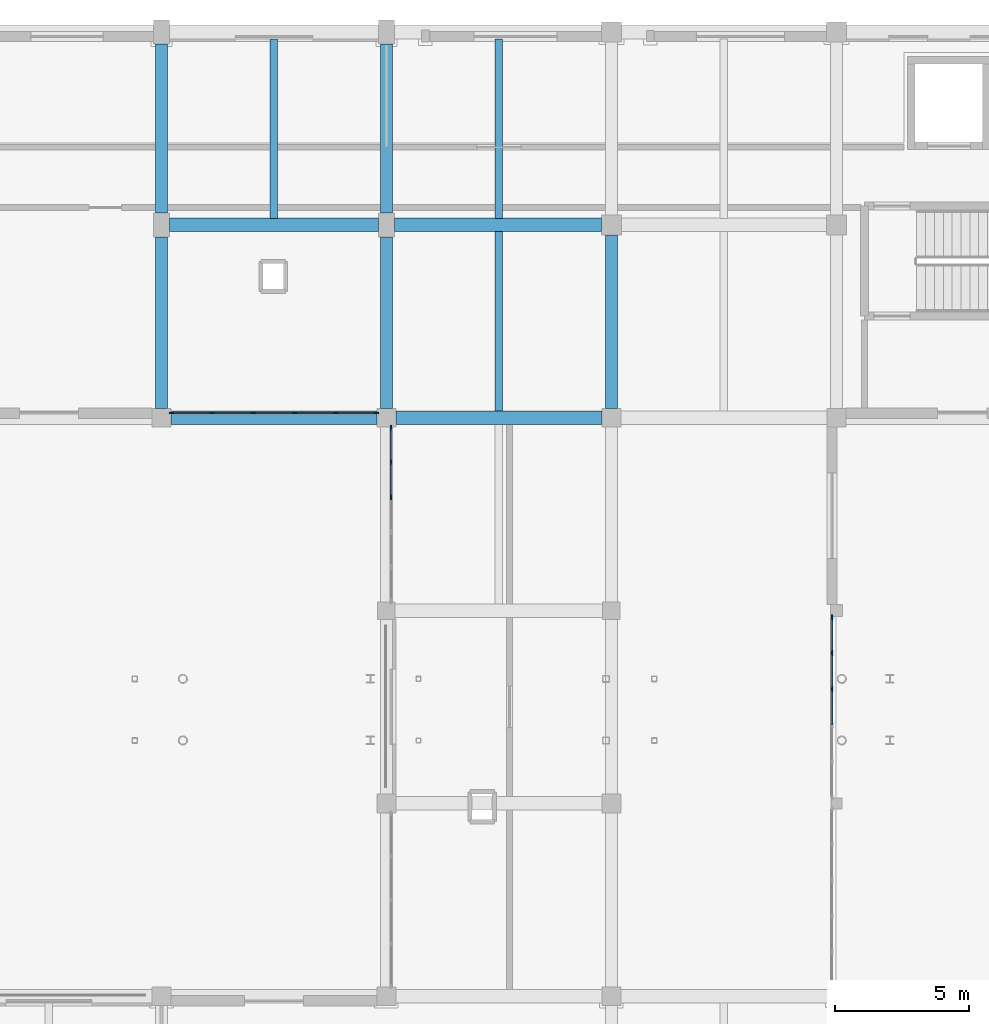
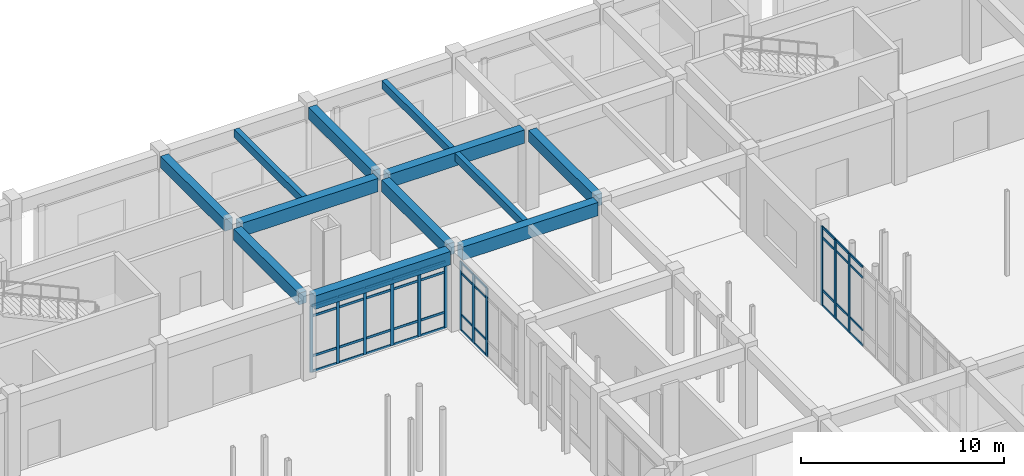
# One storey, part 56 of 121: 52 members, 12 beams, 3 elements without a shape of their own.
"""IFC4 building model written with IfcOpenShell, lengths in metres."""

from ifc_helpers import new_model, si_unit, direction, frame, origin, origin_2d, place, context, subcontext, project, spatial, rectangle, extrude, material, material_profile, profile_set, type_object, element, aggregate, save


model = new_model("IFC4")

# Units and contexts
model_context = context("Model", 3, precision=1e-05, world=origin(), true_north=direction((0.0, 1.0)))
body_context = subcontext(model_context, "Body", "Model", "MODEL_VIEW")
ifc_project = project(units=[si_unit("LENGTHUNIT", "METRE"), si_unit("AREAUNIT", "SQUARE_METRE"), si_unit("VOLUMEUNIT", "CUBIC_METRE"), si_unit("PLANEANGLEUNIT", "RADIAN"), si_unit("MASSUNIT", "GRAM", prefix="KILO")], contexts=[model_context])

# Site, building, storey
site_placement = place(None, origin())
site = spatial("IfcSite", under=ifc_project, at=site_placement, CompositionType="ELEMENT")
building_placement = place(site_placement, origin())
building = spatial("IfcBuilding", under=site, at=building_placement, Name="Malvenik Polytechnic", CompositionType="ELEMENT")
storey_placement = place(building_placement, origin())
storey = spatial("IfcBuildingStorey", under=building, at=storey_placement, Name="L00", CompositionType="ELEMENT", Elevation=0.0)

# Curtain wall, members
ifc_material_1 = material(Name="Anodised aluminium 6060-T6", Category="aluminium")
curtain_wall_type_1 = type_object("IfcCurtainWallType", Name="ARC-CW-CW-01", PredefinedType="NOTDEFINED", material=ifc_material_1)
curtain_wall_1_placement = place(storey_placement, origin())
curtain_wall_1 = element("IfcCurtainWall", 1, at=curtain_wall_1_placement, inside=storey, type_object=curtain_wall_type_1, Name="Unitised Curtain Wall CW-01 L00 #10", PredefinedType="NOTDEFINED")
ifc_material_2 = material(Name="Anodised aluminium", Category="aluminium")
ifc_material_profile_1 = material_profile(ifc_material_2, rectangle(XDim=0.06005859375, YDim=0.179931640625, at=origin_2d()), Name="ALU MULLION 60x180")
ifc_profile_set_1 = profile_set([ifc_material_profile_1], Name="Anodised aluminium")
member_type_1 = type_object("IfcMemberType", Name="ARC-CWM-180", PredefinedType="MULLION", material=ifc_profile_set_1)
member_1_placement = place(storey_placement, frame((75.221923828125, 115.3701171875, 0.0), z_axis=(0.0, 0.0, 1.0), x_axis=(0.0, -1.0, 0.0)))
member_1 = element("IfcMember", 2, at=member_1_placement, type_object=member_type_1, Name="CW-01 mullion 1", PredefinedType="MULLION", context=body_context, shape_type="SweptSolid", body=[
    extrude(rectangle(XDim=0.06005859375, YDim=0.179931640625, at=origin_2d()), origin(), (0.0, 0.0, 1.0), 4.010009765625),
])
member_2_placement = place(storey_placement, frame((73.711181640625, 115.3701171875, 0.0), z_axis=(0.0, 0.0, 1.0), x_axis=(0.0, -1.0, 0.0)))
member_2 = element("IfcMember", 3, at=member_2_placement, type_object=member_type_1, Name="CW-01 mullion 2", PredefinedType="MULLION", context=body_context, shape_type="SweptSolid", body=[
    extrude(rectangle(XDim=0.06005859375, YDim=0.179931640625, at=origin_2d()), origin(), (0.0, 0.0, 1.0), 4.010009765625),
])
member_3_placement = place(storey_placement, frame((72.17041015625, 115.3701171875, 0.0), z_axis=(0.0, 0.0, 1.0), x_axis=(0.0, -1.0, 0.0)))
member_3 = element("IfcMember", 4, at=member_3_placement, type_object=member_type_1, Name="CW-01 mullion 3", PredefinedType="MULLION", context=body_context, shape_type="SweptSolid", body=[
    extrude(rectangle(XDim=0.06005859375, YDim=0.179931640625, at=origin_2d()), origin(), (0.0, 0.0, 1.0), 4.010009765625),
])
member_4_placement = place(storey_placement, frame((70.629638671875, 115.3701171875, 0.0), z_axis=(0.0, 0.0, 1.0), x_axis=(0.0, -1.0, 0.0)))
member_4 = element("IfcMember", 5, at=member_4_placement, type_object=member_type_1, Name="CW-01 mullion 4", PredefinedType="MULLION", context=body_context, shape_type="SweptSolid", body=[
    extrude(rectangle(XDim=0.06005859375, YDim=0.179931640625, at=origin_2d()), origin(), (0.0, 0.0, 1.0), 4.010009765625),
])
member_5_placement = place(storey_placement, frame((69.0888671875, 115.3701171875, 0.0), z_axis=(0.0, 0.0, 1.0), x_axis=(0.0, -1.0, 0.0)))
member_5 = element("IfcMember", 6, at=member_5_placement, type_object=member_type_1, Name="CW-01 mullion 5", PredefinedType="MULLION", context=body_context, shape_type="SweptSolid", body=[
    extrude(rectangle(XDim=0.06005859375, YDim=0.179931640625, at=origin_2d()), origin(), (0.0, 0.0, 1.0), 4.010009765625),
])
member_6_placement = place(storey_placement, frame((67.577880859375, 115.3701171875, 0.0), z_axis=(0.0, 0.0, 1.0), x_axis=(0.0, -1.0, 0.0)))
member_6 = element("IfcMember", 7, at=member_6_placement, type_object=member_type_1, Name="CW-01 mullion 6", PredefinedType="MULLION", context=body_context, shape_type="SweptSolid", body=[
    extrude(rectangle(XDim=0.06005859375, YDim=0.179931640625, at=origin_2d()), origin(), (0.0, 0.0, 1.0), 4.010009765625),
])

curtain_wall_type_2 = type_object("IfcCurtainWallType", Name="ARC-CW-CW-04", PredefinedType="NOTDEFINED", material=ifc_material_1)
curtain_wall_2_placement = place(storey_placement, origin())
curtain_wall_2 = element("IfcCurtainWall", 8, at=curtain_wall_2_placement, inside=storey, type_object=curtain_wall_type_2, Name="Unitised Curtain Wall CW-04 L00 #9", PredefinedType="NOTDEFINED")
ifc_material_profile_2 = material_profile(ifc_material_2, rectangle(XDim=0.06005859375, YDim=0.199951171875, at=origin_2d()), Name="ALU MULLION 60x200")
ifc_profile_set_2 = profile_set([ifc_material_profile_2], Name="Anodised aluminium")
member_type_2 = type_object("IfcMemberType", Name="ARC-CWM-200", PredefinedType="MULLION", material=ifc_profile_set_2)
member_7_placement = place(storey_placement, frame((75.77001953125, 112.240478515625, 0.0), z_axis=(0.0, 0.0, 1.0), x_axis=(-1.0, 0.0, 0.0)))
member_7 = element("IfcMember", 9, at=member_7_placement, type_object=member_type_2, Name="CW-04 mullion 4", PredefinedType="MULLION", context=body_context, shape_type="SweptSolid", body=[
    extrude(rectangle(XDim=0.06005859375, YDim=0.199951171875, at=origin_2d()), origin(), (0.0, 0.0, 1.0), 4.110107421875),
])
member_8_placement = place(storey_placement, frame((75.77001953125, 113.546142578125, 0.0), z_axis=(0.0, 0.0, 1.0), x_axis=(-1.0, 0.0, 0.0)))
member_8 = element("IfcMember", 10, at=member_8_placement, type_object=member_type_2, Name="CW-04 mullion 5", PredefinedType="MULLION", context=body_context, shape_type="SweptSolid", body=[
    extrude(rectangle(XDim=0.06005859375, YDim=0.199951171875, at=origin_2d()), origin(), (0.0, 0.0, 1.0), 4.110107421875),
])
member_9_placement = place(storey_placement, frame((75.77001953125, 114.822021484375, 0.0), z_axis=(0.0, 0.0, 1.0), x_axis=(-1.0, 0.0, 0.0)))
member_9 = element("IfcMember", 11, at=member_9_placement, type_object=member_type_2, Name="CW-04 mullion 6", PredefinedType="MULLION", context=body_context, shape_type="SweptSolid", body=[
    extrude(rectangle(XDim=0.06005859375, YDim=0.199951171875, at=origin_2d()), origin(), (0.0, 0.0, 1.0), 4.110107421875),
])

curtain_wall_type_3 = type_object("IfcCurtainWallType", Name="ARC-CW-CW-13", PredefinedType="NOTDEFINED", material=ifc_material_1)
curtain_wall_3_placement = place(storey_placement, origin())
curtain_wall_3 = element("IfcCurtainWall", 12, at=curtain_wall_3_placement, inside=storey, type_object=curtain_wall_type_3, Name="Unitised Curtain Wall CW-13 L00 #12", PredefinedType="NOTDEFINED")
member_10_placement = place(storey_placement, frame((92.22998046875, 107.7470703125, 0.0), z_axis=(0.0, 0.0, 1.0), x_axis=(1.0, 0.0, 0.0)))
member_10 = element("IfcMember", 13, at=member_10_placement, type_object=member_type_2, Name="CW-13 mullion 1", PredefinedType="MULLION", context=body_context, shape_type="SweptSolid", body=[
    extrude(rectangle(XDim=0.06005859375, YDim=0.199951171875, at=origin_2d()), origin(), (0.0, 0.0, 1.0), 4.760009765625),
])
member_11_placement = place(storey_placement, frame((92.22998046875, 106.421142578125, 0.0), z_axis=(0.0, 0.0, 1.0), x_axis=(1.0, 0.0, 0.0)))
member_11 = element("IfcMember", 14, at=member_11_placement, type_object=member_type_2, Name="CW-13 mullion 2", PredefinedType="MULLION", context=body_context, shape_type="SweptSolid", body=[
    extrude(rectangle(XDim=0.06005859375, YDim=0.199951171875, at=origin_2d()), origin(), (0.0, 0.0, 1.0), 4.760009765625),
])
member_12_placement = place(storey_placement, frame((92.22998046875, 105.0654296875, 0.0), z_axis=(0.0, 0.0, 1.0), x_axis=(1.0, 0.0, 0.0)))
member_12 = element("IfcMember", 15, at=member_12_placement, type_object=member_type_2, Name="CW-13 mullion 3", PredefinedType="MULLION", context=body_context, shape_type="SweptSolid", body=[
    extrude(rectangle(XDim=0.06005859375, YDim=0.199951171875, at=origin_2d()), origin(), (0.0, 0.0, 1.0), 4.760009765625),
])

# Member
ifc_material_profile_3 = material_profile(ifc_material_2, rectangle(XDim=0.06005859375, YDim=0.1201171875, at=origin_2d()), Name="ALU TRANSOM 60x120")
ifc_profile_set_3 = profile_set([ifc_material_profile_3], Name="Anodised aluminium")
member_type_3 = type_object("IfcMemberType", Name="ARC-CWT-120", PredefinedType="USERDEFINED", material=ifc_profile_set_3)
member_13_placement = place(storey_placement, frame((75.77001953125, 112.2705078125, 0.030029296875), z_axis=(0.0, 1.0, 0.0), x_axis=(-1.0, 0.0, 0.0)))
member_13 = element("IfcMember", 16, at=member_13_placement, type_object=member_type_3, Name="CW-04 transom 4.1", ObjectType="TRANSOM", PredefinedType="USERDEFINED", context=body_context, shape_type="SweptSolid", body=[
    extrude(rectangle(XDim=0.06005859375, YDim=0.1201171875, at=origin_2d()), origin(), (0.0, 0.0, 1.0), 1.24560546875),
])

member_14_placement = place(storey_placement, frame((75.77001953125, 112.2705078125, 0.949951171875), z_axis=(0.0, 1.0, 0.0), x_axis=(-1.0, 0.0, 0.0)))
member_14 = element("IfcMember", 17, at=member_14_placement, type_object=member_type_3, Name="CW-04 transom 4.2", ObjectType="TRANSOM", PredefinedType="USERDEFINED", context=body_context, shape_type="SweptSolid", body=[
    extrude(rectangle(XDim=0.06005859375, YDim=0.1201171875, at=origin_2d()), origin(), (0.0, 0.0, 1.0), 1.24560546875),
])

member_15_placement = place(storey_placement, frame((75.77001953125, 112.2705078125, 3.4599609375), z_axis=(0.0, 1.0, 0.0), x_axis=(-1.0, 0.0, 0.0)))
member_15 = element("IfcMember", 18, at=member_15_placement, type_object=member_type_3, Name="CW-04 transom 4.3", ObjectType="TRANSOM", PredefinedType="USERDEFINED", context=body_context, shape_type="SweptSolid", body=[
    extrude(rectangle(XDim=0.06005859375, YDim=0.1201171875, at=origin_2d()), origin(), (0.0, 0.0, 1.0), 1.24560546875),
])

member_16_placement = place(storey_placement, frame((75.77001953125, 112.2705078125, 4.080078125), z_axis=(0.0, 1.0, 0.0), x_axis=(-1.0, 0.0, 0.0)))
member_16 = element("IfcMember", 19, at=member_16_placement, type_object=member_type_3, Name="CW-04 transom 4.4", ObjectType="TRANSOM", PredefinedType="USERDEFINED", context=body_context, shape_type="SweptSolid", body=[
    extrude(rectangle(XDim=0.06005859375, YDim=0.1201171875, at=origin_2d()), origin(), (0.0, 0.0, 1.0), 1.24560546875),
])

member_17_placement = place(storey_placement, frame((75.77001953125, 113.576171875, 0.030029296875), z_axis=(0.0, 1.0, 0.0), x_axis=(-1.0, 0.0, 0.0)))
member_17 = element("IfcMember", 20, at=member_17_placement, type_object=member_type_3, Name="CW-04 transom 5.1", ObjectType="TRANSOM", PredefinedType="USERDEFINED", context=body_context, shape_type="SweptSolid", body=[
    extrude(rectangle(XDim=0.06005859375, YDim=0.1201171875, at=origin_2d()), origin(), (0.0, 0.0, 1.0), 1.2158203125),
])

member_18_placement = place(storey_placement, frame((75.77001953125, 113.576171875, 0.949951171875), z_axis=(0.0, 1.0, 0.0), x_axis=(-1.0, 0.0, 0.0)))
member_18 = element("IfcMember", 21, at=member_18_placement, type_object=member_type_3, Name="CW-04 transom 5.2", ObjectType="TRANSOM", PredefinedType="USERDEFINED", context=body_context, shape_type="SweptSolid", body=[
    extrude(rectangle(XDim=0.06005859375, YDim=0.1201171875, at=origin_2d()), origin(), (0.0, 0.0, 1.0), 1.2158203125),
])

member_19_placement = place(storey_placement, frame((75.77001953125, 113.576171875, 3.4599609375), z_axis=(0.0, 1.0, 0.0), x_axis=(-1.0, 0.0, 0.0)))
member_19 = element("IfcMember", 22, at=member_19_placement, type_object=member_type_3, Name="CW-04 transom 5.3", ObjectType="TRANSOM", PredefinedType="USERDEFINED", context=body_context, shape_type="SweptSolid", body=[
    extrude(rectangle(XDim=0.06005859375, YDim=0.1201171875, at=origin_2d()), origin(), (0.0, 0.0, 1.0), 1.2158203125),
])

member_20_placement = place(storey_placement, frame((75.77001953125, 113.576171875, 4.080078125), z_axis=(0.0, 1.0, 0.0), x_axis=(-1.0, 0.0, 0.0)))
member_20 = element("IfcMember", 23, at=member_20_placement, type_object=member_type_3, Name="CW-04 transom 5.4", ObjectType="TRANSOM", PredefinedType="USERDEFINED", context=body_context, shape_type="SweptSolid", body=[
    extrude(rectangle(XDim=0.06005859375, YDim=0.1201171875, at=origin_2d()), origin(), (0.0, 0.0, 1.0), 1.2158203125),
])

aggregate(curtain_wall_2, [member_7, member_8, member_9, member_13, member_14, member_15, member_16, member_17, member_18, member_19, member_20])

ifc_material_profile_4 = material_profile(ifc_material_2, rectangle(XDim=0.06005859375, YDim=0.139892578125, at=origin_2d()), Name="ALU TRANSOM 60x140")
ifc_profile_set_4 = profile_set([ifc_material_profile_4], Name="Anodised aluminium")
member_type_4 = type_object("IfcMemberType", Name="ARC-CWT-140", PredefinedType="USERDEFINED", material=ifc_profile_set_4)
member_21_placement = place(storey_placement, frame((75.19189453125, 115.3701171875, 0.030029296875), z_axis=(-1.0, 0.0, 0.0), x_axis=(0.0, -1.0, 0.0)))
member_21 = element("IfcMember", 24, at=member_21_placement, type_object=member_type_4, Name="CW-01 transom 1.1", ObjectType="TRANSOM", PredefinedType="USERDEFINED", context=body_context, shape_type="SweptSolid", body=[
    extrude(rectangle(XDim=0.06005859375, YDim=0.139892578125, at=origin_2d()), origin(), (0.0, 0.0, 1.0), 1.45068359375),
])

member_22_placement = place(storey_placement, frame((75.19189453125, 115.3701171875, 0.949951171875), z_axis=(-1.0, 0.0, 0.0), x_axis=(0.0, -1.0, 0.0)))
member_22 = element("IfcMember", 25, at=member_22_placement, type_object=member_type_4, Name="CW-01 transom 1.2", ObjectType="TRANSOM", PredefinedType="USERDEFINED", context=body_context, shape_type="SweptSolid", body=[
    extrude(rectangle(XDim=0.06005859375, YDim=0.139892578125, at=origin_2d()), origin(), (0.0, 0.0, 1.0), 1.45068359375),
])

member_23_placement = place(storey_placement, frame((75.19189453125, 115.3701171875, 3.360107421875), z_axis=(-1.0, 0.0, 0.0), x_axis=(0.0, -1.0, 0.0)))
member_23 = element("IfcMember", 26, at=member_23_placement, type_object=member_type_4, Name="CW-01 transom 1.3", ObjectType="TRANSOM", PredefinedType="USERDEFINED", context=body_context, shape_type="SweptSolid", body=[
    extrude(rectangle(XDim=0.06005859375, YDim=0.139892578125, at=origin_2d()), origin(), (0.0, 0.0, 1.0), 1.45068359375),
])

member_24_placement = place(storey_placement, frame((75.19189453125, 115.3701171875, 3.97998046875), z_axis=(-1.0, 0.0, 0.0), x_axis=(0.0, -1.0, 0.0)))
member_24 = element("IfcMember", 27, at=member_24_placement, type_object=member_type_4, Name="CW-01 transom 1.4", ObjectType="TRANSOM", PredefinedType="USERDEFINED", context=body_context, shape_type="SweptSolid", body=[
    extrude(rectangle(XDim=0.06005859375, YDim=0.139892578125, at=origin_2d()), origin(), (0.0, 0.0, 1.0), 1.45068359375),
])

member_25_placement = place(storey_placement, frame((73.68115234375, 115.3701171875, 0.030029296875), z_axis=(-1.0, 0.0, 0.0), x_axis=(0.0, -1.0, 0.0)))
member_25 = element("IfcMember", 28, at=member_25_placement, type_object=member_type_4, Name="CW-01 transom 2.1", ObjectType="TRANSOM", PredefinedType="USERDEFINED", context=body_context, shape_type="SweptSolid", body=[
    extrude(rectangle(XDim=0.06005859375, YDim=0.139892578125, at=origin_2d()), origin(), (0.0, 0.0, 1.0), 1.480712890625),
])

member_26_placement = place(storey_placement, frame((73.68115234375, 115.3701171875, 0.949951171875), z_axis=(-1.0, 0.0, 0.0), x_axis=(0.0, -1.0, 0.0)))
member_26 = element("IfcMember", 29, at=member_26_placement, type_object=member_type_4, Name="CW-01 transom 2.2", ObjectType="TRANSOM", PredefinedType="USERDEFINED", context=body_context, shape_type="SweptSolid", body=[
    extrude(rectangle(XDim=0.06005859375, YDim=0.139892578125, at=origin_2d()), origin(), (0.0, 0.0, 1.0), 1.480712890625),
])

member_27_placement = place(storey_placement, frame((73.68115234375, 115.3701171875, 3.360107421875), z_axis=(-1.0, 0.0, 0.0), x_axis=(0.0, -1.0, 0.0)))
member_27 = element("IfcMember", 30, at=member_27_placement, type_object=member_type_4, Name="CW-01 transom 2.3", ObjectType="TRANSOM", PredefinedType="USERDEFINED", context=body_context, shape_type="SweptSolid", body=[
    extrude(rectangle(XDim=0.06005859375, YDim=0.139892578125, at=origin_2d()), origin(), (0.0, 0.0, 1.0), 1.480712890625),
])

member_28_placement = place(storey_placement, frame((73.68115234375, 115.3701171875, 3.97998046875), z_axis=(-1.0, 0.0, 0.0), x_axis=(0.0, -1.0, 0.0)))
member_28 = element("IfcMember", 31, at=member_28_placement, type_object=member_type_4, Name="CW-01 transom 2.4", ObjectType="TRANSOM", PredefinedType="USERDEFINED", context=body_context, shape_type="SweptSolid", body=[
    extrude(rectangle(XDim=0.06005859375, YDim=0.139892578125, at=origin_2d()), origin(), (0.0, 0.0, 1.0), 1.480712890625),
])

member_29_placement = place(storey_placement, frame((72.140380859375, 115.3701171875, 0.030029296875), z_axis=(-1.0, 0.0, 0.0), x_axis=(0.0, -1.0, 0.0)))
member_29 = element("IfcMember", 32, at=member_29_placement, type_object=member_type_4, Name="CW-01 transom 3.1", ObjectType="TRANSOM", PredefinedType="USERDEFINED", context=body_context, shape_type="SweptSolid", body=[
    extrude(rectangle(XDim=0.06005859375, YDim=0.139892578125, at=origin_2d()), origin(), (0.0, 0.0, 1.0), 1.480712890625),
])

member_30_placement = place(storey_placement, frame((72.140380859375, 115.3701171875, 0.949951171875), z_axis=(-1.0, 0.0, 0.0), x_axis=(0.0, -1.0, 0.0)))
member_30 = element("IfcMember", 33, at=member_30_placement, type_object=member_type_4, Name="CW-01 transom 3.2", ObjectType="TRANSOM", PredefinedType="USERDEFINED", context=body_context, shape_type="SweptSolid", body=[
    extrude(rectangle(XDim=0.06005859375, YDim=0.139892578125, at=origin_2d()), origin(), (0.0, 0.0, 1.0), 1.480712890625),
])

member_31_placement = place(storey_placement, frame((72.140380859375, 115.3701171875, 3.360107421875), z_axis=(-1.0, 0.0, 0.0), x_axis=(0.0, -1.0, 0.0)))
member_31 = element("IfcMember", 34, at=member_31_placement, type_object=member_type_4, Name="CW-01 transom 3.3", ObjectType="TRANSOM", PredefinedType="USERDEFINED", context=body_context, shape_type="SweptSolid", body=[
    extrude(rectangle(XDim=0.06005859375, YDim=0.139892578125, at=origin_2d()), origin(), (0.0, 0.0, 1.0), 1.480712890625),
])

member_32_placement = place(storey_placement, frame((72.140380859375, 115.3701171875, 3.97998046875), z_axis=(-1.0, 0.0, 0.0), x_axis=(0.0, -1.0, 0.0)))
member_32 = element("IfcMember", 35, at=member_32_placement, type_object=member_type_4, Name="CW-01 transom 3.4", ObjectType="TRANSOM", PredefinedType="USERDEFINED", context=body_context, shape_type="SweptSolid", body=[
    extrude(rectangle(XDim=0.06005859375, YDim=0.139892578125, at=origin_2d()), origin(), (0.0, 0.0, 1.0), 1.480712890625),
])

member_33_placement = place(storey_placement, frame((70.599609375, 115.3701171875, 0.030029296875), z_axis=(-1.0, 0.0, 0.0), x_axis=(0.0, -1.0, 0.0)))
member_33 = element("IfcMember", 36, at=member_33_placement, type_object=member_type_4, Name="CW-01 transom 4.1", ObjectType="TRANSOM", PredefinedType="USERDEFINED", context=body_context, shape_type="SweptSolid", body=[
    extrude(rectangle(XDim=0.06005859375, YDim=0.139892578125, at=origin_2d()), origin(), (0.0, 0.0, 1.0), 1.480712890625),
])

member_34_placement = place(storey_placement, frame((70.599609375, 115.3701171875, 0.949951171875), z_axis=(-1.0, 0.0, 0.0), x_axis=(0.0, -1.0, 0.0)))
member_34 = element("IfcMember", 37, at=member_34_placement, type_object=member_type_4, Name="CW-01 transom 4.2", ObjectType="TRANSOM", PredefinedType="USERDEFINED", context=body_context, shape_type="SweptSolid", body=[
    extrude(rectangle(XDim=0.06005859375, YDim=0.139892578125, at=origin_2d()), origin(), (0.0, 0.0, 1.0), 1.480712890625),
])

member_35_placement = place(storey_placement, frame((70.599609375, 115.3701171875, 3.360107421875), z_axis=(-1.0, 0.0, 0.0), x_axis=(0.0, -1.0, 0.0)))
member_35 = element("IfcMember", 38, at=member_35_placement, type_object=member_type_4, Name="CW-01 transom 4.3", ObjectType="TRANSOM", PredefinedType="USERDEFINED", context=body_context, shape_type="SweptSolid", body=[
    extrude(rectangle(XDim=0.06005859375, YDim=0.139892578125, at=origin_2d()), origin(), (0.0, 0.0, 1.0), 1.480712890625),
])

member_36_placement = place(storey_placement, frame((70.599609375, 115.3701171875, 3.97998046875), z_axis=(-1.0, 0.0, 0.0), x_axis=(0.0, -1.0, 0.0)))
member_36 = element("IfcMember", 39, at=member_36_placement, type_object=member_type_4, Name="CW-01 transom 4.4", ObjectType="TRANSOM", PredefinedType="USERDEFINED", context=body_context, shape_type="SweptSolid", body=[
    extrude(rectangle(XDim=0.06005859375, YDim=0.139892578125, at=origin_2d()), origin(), (0.0, 0.0, 1.0), 1.480712890625),
])

member_37_placement = place(storey_placement, frame((69.058837890625, 115.3701171875, 0.030029296875), z_axis=(-1.0, 0.0, 0.0), x_axis=(0.0, -1.0, 0.0)))
member_37 = element("IfcMember", 40, at=member_37_placement, type_object=member_type_4, Name="CW-01 transom 5.1", ObjectType="TRANSOM", PredefinedType="USERDEFINED", context=body_context, shape_type="SweptSolid", body=[
    extrude(rectangle(XDim=0.06005859375, YDim=0.139892578125, at=origin_2d()), origin(), (0.0, 0.0, 1.0), 1.450927734375),
])

member_38_placement = place(storey_placement, frame((69.058837890625, 115.3701171875, 0.949951171875), z_axis=(-1.0, 0.0, 0.0), x_axis=(0.0, -1.0, 0.0)))
member_38 = element("IfcMember", 41, at=member_38_placement, type_object=member_type_4, Name="CW-01 transom 5.2", ObjectType="TRANSOM", PredefinedType="USERDEFINED", context=body_context, shape_type="SweptSolid", body=[
    extrude(rectangle(XDim=0.06005859375, YDim=0.139892578125, at=origin_2d()), origin(), (0.0, 0.0, 1.0), 1.450927734375),
])

member_39_placement = place(storey_placement, frame((69.058837890625, 115.3701171875, 3.360107421875), z_axis=(-1.0, 0.0, 0.0), x_axis=(0.0, -1.0, 0.0)))
member_39 = element("IfcMember", 42, at=member_39_placement, type_object=member_type_4, Name="CW-01 transom 5.3", ObjectType="TRANSOM", PredefinedType="USERDEFINED", context=body_context, shape_type="SweptSolid", body=[
    extrude(rectangle(XDim=0.06005859375, YDim=0.139892578125, at=origin_2d()), origin(), (0.0, 0.0, 1.0), 1.450927734375),
])

member_40_placement = place(storey_placement, frame((69.058837890625, 115.3701171875, 3.97998046875), z_axis=(-1.0, 0.0, 0.0), x_axis=(0.0, -1.0, 0.0)))
member_40 = element("IfcMember", 43, at=member_40_placement, type_object=member_type_4, Name="CW-01 transom 5.4", ObjectType="TRANSOM", PredefinedType="USERDEFINED", context=body_context, shape_type="SweptSolid", body=[
    extrude(rectangle(XDim=0.06005859375, YDim=0.139892578125, at=origin_2d()), origin(), (0.0, 0.0, 1.0), 1.450927734375),
])

aggregate(curtain_wall_1, [member_1, member_2, member_3, member_4, member_5, member_6, member_21, member_22, member_23, member_24, member_25, member_26, member_27, member_28, member_29, member_30, member_31, member_32, member_33, member_34, member_35, member_36, member_37, member_38, member_39, member_40])

member_41_placement = place(storey_placement, frame((92.22998046875, 107.717041015625, 0.030029296875), z_axis=(0.0, -1.0, 0.0), x_axis=(1.0, 0.0, 0.0)))
member_41 = element("IfcMember", 44, at=member_41_placement, type_object=member_type_4, Name="CW-13 transom 1.1", ObjectType="TRANSOM", PredefinedType="USERDEFINED", context=body_context, shape_type="SweptSolid", body=[
    extrude(rectangle(XDim=0.06005859375, YDim=0.139892578125, at=origin_2d()), origin(), (0.0, 0.0, 1.0), 1.265869140625),
])

member_42_placement = place(storey_placement, frame((92.22998046875, 107.717041015625, 0.949951171875), z_axis=(0.0, -1.0, 0.0), x_axis=(1.0, 0.0, 0.0)))
member_42 = element("IfcMember", 45, at=member_42_placement, type_object=member_type_4, Name="CW-13 transom 1.2", ObjectType="TRANSOM", PredefinedType="USERDEFINED", context=body_context, shape_type="SweptSolid", body=[
    extrude(rectangle(XDim=0.06005859375, YDim=0.139892578125, at=origin_2d()), origin(), (0.0, 0.0, 1.0), 1.265869140625),
])

member_43_placement = place(storey_placement, frame((92.22998046875, 107.717041015625, 4.110107421875), z_axis=(0.0, -1.0, 0.0), x_axis=(1.0, 0.0, 0.0)))
member_43 = element("IfcMember", 46, at=member_43_placement, type_object=member_type_4, Name="CW-13 transom 1.3", ObjectType="TRANSOM", PredefinedType="USERDEFINED", context=body_context, shape_type="SweptSolid", body=[
    extrude(rectangle(XDim=0.06005859375, YDim=0.139892578125, at=origin_2d()), origin(), (0.0, 0.0, 1.0), 1.265869140625),
])

member_44_placement = place(storey_placement, frame((92.22998046875, 107.717041015625, 4.72998046875), z_axis=(0.0, -1.0, 0.0), x_axis=(1.0, 0.0, 0.0)))
member_44 = element("IfcMember", 47, at=member_44_placement, type_object=member_type_4, Name="CW-13 transom 1.4", ObjectType="TRANSOM", PredefinedType="USERDEFINED", context=body_context, shape_type="SweptSolid", body=[
    extrude(rectangle(XDim=0.06005859375, YDim=0.139892578125, at=origin_2d()), origin(), (0.0, 0.0, 1.0), 1.265869140625),
])

member_45_placement = place(storey_placement, frame((92.22998046875, 106.39111328125, 0.030029296875), z_axis=(0.0, -1.0, 0.0), x_axis=(1.0, 0.0, 0.0)))
member_45 = element("IfcMember", 48, at=member_45_placement, type_object=member_type_4, Name="CW-13 transom 2.1", ObjectType="TRANSOM", PredefinedType="USERDEFINED", context=body_context, shape_type="SweptSolid", body=[
    extrude(rectangle(XDim=0.06005859375, YDim=0.139892578125, at=origin_2d()), origin(), (0.0, 0.0, 1.0), 1.295654296875),
])

member_46_placement = place(storey_placement, frame((92.22998046875, 106.39111328125, 0.949951171875), z_axis=(0.0, -1.0, 0.0), x_axis=(1.0, 0.0, 0.0)))
member_46 = element("IfcMember", 49, at=member_46_placement, type_object=member_type_4, Name="CW-13 transom 2.2", ObjectType="TRANSOM", PredefinedType="USERDEFINED", context=body_context, shape_type="SweptSolid", body=[
    extrude(rectangle(XDim=0.06005859375, YDim=0.139892578125, at=origin_2d()), origin(), (0.0, 0.0, 1.0), 1.295654296875),
])

member_47_placement = place(storey_placement, frame((92.22998046875, 106.39111328125, 4.110107421875), z_axis=(0.0, -1.0, 0.0), x_axis=(1.0, 0.0, 0.0)))
member_47 = element("IfcMember", 50, at=member_47_placement, type_object=member_type_4, Name="CW-13 transom 2.3", ObjectType="TRANSOM", PredefinedType="USERDEFINED", context=body_context, shape_type="SweptSolid", body=[
    extrude(rectangle(XDim=0.06005859375, YDim=0.139892578125, at=origin_2d()), origin(), (0.0, 0.0, 1.0), 1.295654296875),
])

member_48_placement = place(storey_placement, frame((92.22998046875, 106.39111328125, 4.72998046875), z_axis=(0.0, -1.0, 0.0), x_axis=(1.0, 0.0, 0.0)))
member_48 = element("IfcMember", 51, at=member_48_placement, type_object=member_type_4, Name="CW-13 transom 2.4", ObjectType="TRANSOM", PredefinedType="USERDEFINED", context=body_context, shape_type="SweptSolid", body=[
    extrude(rectangle(XDim=0.06005859375, YDim=0.139892578125, at=origin_2d()), origin(), (0.0, 0.0, 1.0), 1.295654296875),
])

member_49_placement = place(storey_placement, frame((92.22998046875, 105.035400390625, 0.030029296875), z_axis=(0.0, -1.0, 0.0), x_axis=(1.0, 0.0, 0.0)))
member_49 = element("IfcMember", 52, at=member_49_placement, type_object=member_type_4, Name="CW-13 transom 3.1", ObjectType="TRANSOM", PredefinedType="USERDEFINED", context=body_context, shape_type="SweptSolid", body=[
    extrude(rectangle(XDim=0.06005859375, YDim=0.139892578125, at=origin_2d()), origin(), (0.0, 0.0, 1.0), 1.2958984375),
])

member_50_placement = place(storey_placement, frame((92.22998046875, 105.035400390625, 0.949951171875), z_axis=(0.0, -1.0, 0.0), x_axis=(1.0, 0.0, 0.0)))
member_50 = element("IfcMember", 53, at=member_50_placement, type_object=member_type_4, Name="CW-13 transom 3.2", ObjectType="TRANSOM", PredefinedType="USERDEFINED", context=body_context, shape_type="SweptSolid", body=[
    extrude(rectangle(XDim=0.06005859375, YDim=0.139892578125, at=origin_2d()), origin(), (0.0, 0.0, 1.0), 1.2958984375),
])

member_51_placement = place(storey_placement, frame((92.22998046875, 105.035400390625, 4.110107421875), z_axis=(0.0, -1.0, 0.0), x_axis=(1.0, 0.0, 0.0)))
member_51 = element("IfcMember", 54, at=member_51_placement, type_object=member_type_4, Name="CW-13 transom 3.3", ObjectType="TRANSOM", PredefinedType="USERDEFINED", context=body_context, shape_type="SweptSolid", body=[
    extrude(rectangle(XDim=0.06005859375, YDim=0.139892578125, at=origin_2d()), origin(), (0.0, 0.0, 1.0), 1.2958984375),
])

member_52_placement = place(storey_placement, frame((92.22998046875, 105.035400390625, 4.72998046875), z_axis=(0.0, -1.0, 0.0), x_axis=(1.0, 0.0, 0.0)))
member_52 = element("IfcMember", 55, at=member_52_placement, type_object=member_type_4, Name="CW-13 transom 3.4", ObjectType="TRANSOM", PredefinedType="USERDEFINED", context=body_context, shape_type="SweptSolid", body=[
    extrude(rectangle(XDim=0.06005859375, YDim=0.139892578125, at=origin_2d()), origin(), (0.0, 0.0, 1.0), 1.2958984375),
])

aggregate(curtain_wall_3, [member_10, member_11, member_12, member_41, member_42, member_43, member_44, member_45, member_46, member_47, member_48, member_49, member_50, member_51, member_52])

# Beams
ifc_material_3 = material(Name="Concrete C35/45", Category="concrete")
ifc_material_profile_5 = material_profile(ifc_material_3, rectangle(XDim=0.5, YDim=0.800048828125, at=origin_2d()), Name="RC BM 500x800")
ifc_profile_set_5 = profile_set([ifc_material_profile_5], Name="Concrete C35/45")
beam_type_1 = type_object("IfcBeamType", Name="STR-BM-B-02", PredefinedType="BEAM", material=ifc_profile_set_5)
beam_1_placement = place(storey_placement, frame((75.947998046875, 115.199951171875, 4.419921875), z_axis=(1.0, 0.0, 0.0), x_axis=(0.0, 1.0, 0.0)))
element("IfcBeam", 56, at=beam_1_placement, inside=storey, type_object=beam_type_1, Name="Primary Beam B-02 L00 #681", PredefinedType="BEAM", context=body_context, shape_type="SweptSolid", body=[
    extrude(rectangle(XDim=0.5, YDim=0.800048828125, at=origin_2d()), origin(), (0.0, 0.0, 1.0), 7.7041015625),
])
beam_2_placement = place(storey_placement, frame((67.498046875, 122.39990234375, 4.419921875), z_axis=(1.0, 0.0, 0.0), x_axis=(0.0, 1.0, 0.0)))
element("IfcBeam", 57, at=beam_2_placement, inside=storey, type_object=beam_type_1, Name="Primary Beam B-02 L00 #692", PredefinedType="BEAM", context=body_context, shape_type="SweptSolid", body=[
    extrude(rectangle(XDim=0.5, YDim=0.800048828125, at=origin_2d()), origin(), (0.0, 0.0, 1.0), 7.803955078125),
])
beam_3_placement = place(storey_placement, frame((75.89794921875, 122.39990234375, 4.419921875), z_axis=(1.0, 0.0, 0.0), x_axis=(0.0, 1.0, 0.0)))
element("IfcBeam", 58, at=beam_3_placement, inside=storey, type_object=beam_type_1, Name="Primary Beam B-02 L00 #693", PredefinedType="BEAM", context=body_context, shape_type="SweptSolid", body=[
    extrude(rectangle(XDim=0.5, YDim=0.800048828125, at=origin_2d()), origin(), (0.0, 0.0, 1.0), 7.72900390625),
])
ifc_material_profile_6 = material_profile(ifc_material_3, rectangle(XDim=0.449951171875, YDim=0.699951171875, at=origin_2d()), Name="RC BM 450x700")
ifc_profile_set_6 = profile_set([ifc_material_profile_6], Name="Concrete C35/45")
beam_type_2 = type_object("IfcBeamType", Name="STR-BM-B-04", PredefinedType="BEAM", material=ifc_profile_set_6)
beam_4_placement = place(storey_placement, frame((67.199951171875, 115.548095703125, 4.469970703125), z_axis=(0.0, 1.0, 0.0), x_axis=(-1.0, 0.0, 0.0)))
element("IfcBeam", 59, at=beam_4_placement, inside=storey, type_object=beam_type_2, Name="Transverse Beam B-04 L00 #764", PredefinedType="BEAM", context=body_context, shape_type="SweptSolid", body=[
    extrude(rectangle(XDim=0.449951171875, YDim=0.699951171875, at=origin_2d()), origin(), (0.0, 0.0, 1.0), 6.40380859375),
])
beam_5_placement = place(storey_placement, frame((67.199951171875, 122.847900390625, 4.469970703125), z_axis=(0.0, 1.0, 0.0), x_axis=(-1.0, 0.0, 0.0)))
element("IfcBeam", 60, at=beam_5_placement, inside=storey, type_object=beam_type_2, Name="Transverse Beam B-04 L00 #765", PredefinedType="BEAM", context=body_context, shape_type="SweptSolid", body=[
    extrude(rectangle(XDim=0.449951171875, YDim=0.699951171875, at=origin_2d()), origin(), (0.0, 0.0, 1.0), 6.30419921875),
])
beam_6_placement = place(storey_placement, frame((75.60009765625, 115.548095703125, 4.469970703125), z_axis=(0.0, 1.0, 0.0), x_axis=(-1.0, 0.0, 0.0)))
element("IfcBeam", 61, at=beam_6_placement, inside=storey, type_object=beam_type_2, Name="Transverse Beam B-04 L00 #777", PredefinedType="BEAM", context=body_context, shape_type="SweptSolid", body=[
    extrude(rectangle(XDim=0.449951171875, YDim=0.699951171875, at=origin_2d()), origin(), (0.0, 0.0, 1.0), 6.40380859375),
])
beam_7_placement = place(storey_placement, frame((75.60009765625, 122.847900390625, 4.469970703125), z_axis=(0.0, 1.0, 0.0), x_axis=(-1.0, 0.0, 0.0)))
element("IfcBeam", 62, at=beam_7_placement, inside=storey, type_object=beam_type_2, Name="Transverse Beam B-04 L00 #778", PredefinedType="BEAM", context=body_context, shape_type="SweptSolid", body=[
    extrude(rectangle(XDim=0.449951171875, YDim=0.699951171875, at=origin_2d()), origin(), (0.0, 0.0, 1.0), 6.30419921875),
])
beam_8_placement = place(storey_placement, frame((84.0, 115.548095703125, 4.469970703125), z_axis=(0.0, 1.0, 0.0), x_axis=(-1.0, 0.0, 0.0)))
element("IfcBeam", 63, at=beam_8_placement, inside=storey, type_object=beam_type_2, Name="Transverse Beam B-04 L00 #792", PredefinedType="BEAM", context=body_context, shape_type="SweptSolid", body=[
    extrude(rectangle(XDim=0.449951171875, YDim=0.699951171875, at=origin_2d()), origin(), (0.0, 0.0, 1.0), 6.47900390625),
])
ifc_material_4 = material(Name="Concrete C30/37", Category="concrete")
ifc_material_profile_7 = material_profile(ifc_material_4, rectangle(XDim=0.280029296875, YDim=0.47998046875, at=origin_2d()), Name="RC JST 280x480")
ifc_profile_set_7 = profile_set([ifc_material_profile_7], Name="Concrete C30/37")
beam_type_3 = type_object("IfcBeamType", Name="STR-BM-J-01", PredefinedType="JOIST", material=ifc_profile_set_7)
beam_9_placement = place(storey_placement, frame((71.39990234375, 122.64794921875, 4.580078125), z_axis=(0.0, 1.0, 0.0), x_axis=(-1.0, 0.0, 0.0)))
element("IfcBeam", 64, at=beam_9_placement, inside=storey, type_object=beam_type_3, Name="Secondary Rib Joist J-01 L00 #898", PredefinedType="JOIST", context=body_context, shape_type="SweptSolid", body=[
    extrude(rectangle(XDim=0.280029296875, YDim=0.47998046875, at=origin_2d()), origin(), (0.0, 0.0, 1.0), 6.694091796875),
])
beam_10_placement = place(storey_placement, frame((79.800048828125, 115.447998046875, 4.580078125), z_axis=(0.0, 1.0, 0.0), x_axis=(-1.0, 0.0, 0.0)))
element("IfcBeam", 65, at=beam_10_placement, inside=storey, type_object=beam_type_3, Name="Secondary Rib Joist J-01 L00 #906", PredefinedType="JOIST", context=body_context, shape_type="SweptSolid", body=[
    extrude(rectangle(XDim=0.280029296875, YDim=0.47998046875, at=origin_2d()), origin(), (0.0, 0.0, 1.0), 6.7041015625),
])
beam_11_placement = place(storey_placement, frame((79.800048828125, 122.64794921875, 4.580078125), z_axis=(0.0, 1.0, 0.0), x_axis=(-1.0, 0.0, 0.0)))
element("IfcBeam", 66, at=beam_11_placement, inside=storey, type_object=beam_type_3, Name="Secondary Rib Joist J-01 L00 #907", PredefinedType="JOIST", context=body_context, shape_type="SweptSolid", body=[
    extrude(rectangle(XDim=0.280029296875, YDim=0.47998046875, at=origin_2d()), origin(), (0.0, 0.0, 1.0), 6.694091796875),
])
ifc_material_5 = material(Name="Precast concrete C40/50", Category="concrete")
ifc_material_profile_8 = material_profile(ifc_material_5, rectangle(XDim=0.52001953125, YDim=0.800048828125, at=origin_2d()), Name="PC SPN 520x800")
ifc_profile_set_8 = profile_set([ifc_material_profile_8], Name="Precast concrete C40/50")
beam_type_4 = type_object("IfcBeamType", Name="STR-BM-SP-01", PredefinedType="SPANDREL", material=ifc_profile_set_8)
beam_12_placement = place(storey_placement, frame((67.548095703125, 115.199951171875, 4.419921875), z_axis=(1.0, 0.0, 0.0), x_axis=(0.0, 1.0, 0.0)))
element("IfcBeam", 67, at=beam_12_placement, inside=storey, type_object=beam_type_4, Name="Primary Beam SP-01 L00 #680", PredefinedType="SPANDREL", context=body_context, shape_type="SweptSolid", body=[
    extrude(rectangle(XDim=0.52001953125, YDim=0.800048828125, at=origin_2d()), origin(), (0.0, 0.0, 1.0), 7.703857421875),
])

save(model, "model.ifc")
